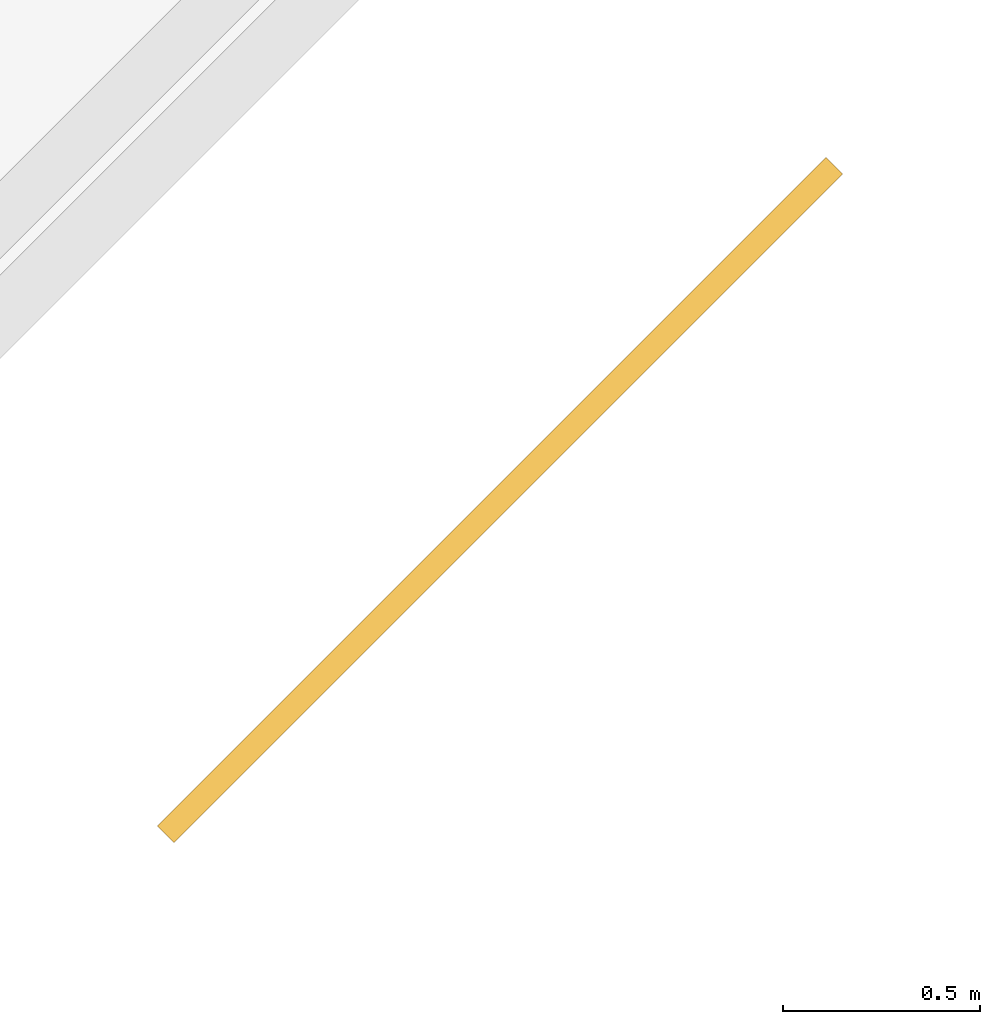
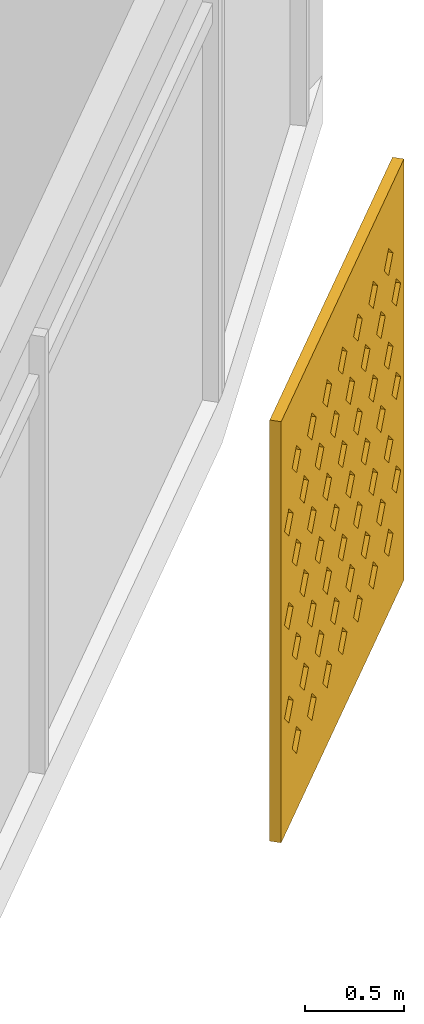
# One storey, part 28 of 28: 1 shading device.
"""IFC4 building model written with IfcOpenShell, lengths in metres."""

from ifc_helpers import new_model, si_unit, direction, frame, origin, place, context, subcontext, project, spatial, polyline, outline, extrude, material, material_profile, profile_set, type_object, element, save


model = new_model("IFC4")

# Units and contexts
model_context = context("Model", 3, precision=1e-05, world=origin(), true_north=direction((0.0, 1.0)))
body_context = subcontext(model_context, "Body", "Model", "MODEL_VIEW")
ifc_project = project(units=[si_unit("LENGTHUNIT", "METRE"), si_unit("AREAUNIT", "SQUARE_METRE"), si_unit("VOLUMEUNIT", "CUBIC_METRE"), si_unit("PLANEANGLEUNIT", "RADIAN"), si_unit("MASSUNIT", "GRAM", prefix="KILO")], contexts=[model_context])

# Site, building, storey
site_placement = place(None, origin())
site = spatial("IfcSite", under=ifc_project, at=site_placement, CompositionType="ELEMENT")
building_placement = place(site_placement, origin())
building = spatial("IfcBuilding", under=site, at=building_placement, Name="Qamariyya Broadcast Tower", CompositionType="ELEMENT")
storey_placement = place(building_placement, frame((0.0, 0.0, 230.300048828125)))
storey = spatial("IfcBuildingStorey", under=building, at=storey_placement, Name="L55", CompositionType="ELEMENT", Elevation=230.300048828125)

# Shading device
ifc_material = material(Name="Perforated glazed terracotta", Category="masonry")
ifc_material_profile = material_profile(ifc_material, outline(polyline([(-1.199951171875, -1.300048828125), (1.199951171875, -1.300048828125), (1.199951171875, 1.300048828125), (-1.199951171875, 1.300048828125), (-1.199951171875, -1.300048828125)]), holes=[polyline([(-0.81494140625, -0.86669921875), (-0.89990234375, -0.78173828125), (-0.985107421875, -0.86669921875), (-0.89990234375, -0.95166015625), (-0.81494140625, -0.86669921875)]), polyline([(-0.514892578125, -0.86669921875), (-0.60009765625, -0.78173828125), (-0.68505859375, -0.86669921875), (-0.60009765625, -0.95166015625), (-0.514892578125, -0.86669921875)]), polyline([(-0.215087890625, -0.86669921875), (-0.300048828125, -0.78173828125), (-0.385009765625, -0.86669921875), (-0.300048828125, -0.95166015625), (-0.215087890625, -0.86669921875)]), polyline([(0.0849609375, -0.86669921875), (0.0, -0.78173828125), (-0.0849609375, -0.86669921875), (0.0, -0.95166015625), (0.0849609375, -0.86669921875)]), polyline([(0.385009765625, -0.86669921875), (0.300048828125, -0.78173828125), (0.215087890625, -0.86669921875), (0.300048828125, -0.95166015625), (0.385009765625, -0.86669921875)]), polyline([(0.68505859375, -0.86669921875), (0.60009765625, -0.78173828125), (0.514892578125, -0.86669921875), (0.60009765625, -0.95166015625), (0.68505859375, -0.86669921875)]), polyline([(0.985107421875, -0.86669921875), (0.89990234375, -0.78173828125), (0.81494140625, -0.86669921875), (0.89990234375, -0.95166015625), (0.985107421875, -0.86669921875)]), polyline([(-0.965087890625, -0.577880859375), (-1.050048828125, -0.49267578125), (-1.135009765625, -0.577880859375), (-1.050048828125, -0.662841796875), (-0.965087890625, -0.577880859375)]), polyline([(-0.6650390625, -0.577880859375), (-0.75, -0.49267578125), (-0.8349609375, -0.577880859375), (-0.75, -0.662841796875), (-0.6650390625, -0.577880859375)]), polyline([(-0.364990234375, -0.577880859375), (-0.449951171875, -0.49267578125), (-0.534912109375, -0.577880859375), (-0.449951171875, -0.662841796875), (-0.364990234375, -0.577880859375)]), polyline([(-0.06494140625, -0.577880859375), (-0.14990234375, -0.49267578125), (-0.235107421875, -0.577880859375), (-0.14990234375, -0.662841796875), (-0.06494140625, -0.577880859375)]), polyline([(0.235107421875, -0.577880859375), (0.14990234375, -0.49267578125), (0.06494140625, -0.577880859375), (0.14990234375, -0.662841796875), (0.235107421875, -0.577880859375)]), polyline([(0.534912109375, -0.577880859375), (0.449951171875, -0.49267578125), (0.364990234375, -0.577880859375), (0.449951171875, -0.662841796875), (0.534912109375, -0.577880859375)]), polyline([(0.8349609375, -0.577880859375), (0.75, -0.49267578125), (0.6650390625, -0.577880859375), (0.75, -0.662841796875), (0.8349609375, -0.577880859375)]), polyline([(1.135009765625, -0.577880859375), (1.050048828125, -0.49267578125), (0.965087890625, -0.577880859375), (1.050048828125, -0.662841796875), (1.135009765625, -0.577880859375)]), polyline([(-0.81494140625, -0.288818359375), (-0.89990234375, -0.203857421875), (-0.985107421875, -0.288818359375), (-0.89990234375, -0.373779296875), (-0.81494140625, -0.288818359375)]), polyline([(-0.514892578125, -0.288818359375), (-0.60009765625, -0.203857421875), (-0.68505859375, -0.288818359375), (-0.60009765625, -0.373779296875), (-0.514892578125, -0.288818359375)]), polyline([(-0.215087890625, -0.288818359375), (-0.300048828125, -0.203857421875), (-0.385009765625, -0.288818359375), (-0.300048828125, -0.373779296875), (-0.215087890625, -0.288818359375)]), polyline([(0.0849609375, -0.288818359375), (0.0, -0.203857421875), (-0.0849609375, -0.288818359375), (0.0, -0.373779296875), (0.0849609375, -0.288818359375)]), polyline([(0.385009765625, -0.288818359375), (0.300048828125, -0.203857421875), (0.215087890625, -0.288818359375), (0.300048828125, -0.373779296875), (0.385009765625, -0.288818359375)]), polyline([(0.68505859375, -0.288818359375), (0.60009765625, -0.203857421875), (0.514892578125, -0.288818359375), (0.60009765625, -0.373779296875), (0.68505859375, -0.288818359375)]), polyline([(0.985107421875, -0.288818359375), (0.89990234375, -0.203857421875), (0.81494140625, -0.288818359375), (0.89990234375, -0.373779296875), (0.985107421875, -0.288818359375)]), polyline([(-0.965087890625, 0.0), (-1.050048828125, 0.0849609375), (-1.135009765625, 0.0), (-1.050048828125, -0.0849609375), (-0.965087890625, 0.0)]), polyline([(-0.6650390625, 0.0), (-0.75, 0.0849609375), (-0.8349609375, 0.0), (-0.75, -0.0849609375), (-0.6650390625, 0.0)]), polyline([(-0.364990234375, 0.0), (-0.449951171875, 0.0849609375), (-0.534912109375, 0.0), (-0.449951171875, -0.0849609375), (-0.364990234375, 0.0)]), polyline([(-0.06494140625, 0.0), (-0.14990234375, 0.0849609375), (-0.235107421875, 0.0), (-0.14990234375, -0.0849609375), (-0.06494140625, 0.0)]), polyline([(0.235107421875, 0.0), (0.14990234375, 0.0849609375), (0.06494140625, 0.0), (0.14990234375, -0.0849609375), (0.235107421875, 0.0)]), polyline([(0.534912109375, 0.0), (0.449951171875, 0.0849609375), (0.364990234375, 0.0), (0.449951171875, -0.0849609375), (0.534912109375, 0.0)]), polyline([(0.8349609375, 0.0), (0.75, 0.0849609375), (0.6650390625, 0.0), (0.75, -0.0849609375), (0.8349609375, 0.0)]), polyline([(1.135009765625, 0.0), (1.050048828125, 0.0849609375), (0.965087890625, 0.0), (1.050048828125, -0.0849609375), (1.135009765625, 0.0)]), polyline([(-0.81494140625, 0.288818359375), (-0.89990234375, 0.373779296875), (-0.985107421875, 0.288818359375), (-0.89990234375, 0.203857421875), (-0.81494140625, 0.288818359375)]), polyline([(-0.514892578125, 0.288818359375), (-0.60009765625, 0.373779296875), (-0.68505859375, 0.288818359375), (-0.60009765625, 0.203857421875), (-0.514892578125, 0.288818359375)]), polyline([(-0.215087890625, 0.288818359375), (-0.300048828125, 0.373779296875), (-0.385009765625, 0.288818359375), (-0.300048828125, 0.203857421875), (-0.215087890625, 0.288818359375)]), polyline([(0.0849609375, 0.288818359375), (0.0, 0.373779296875), (-0.0849609375, 0.288818359375), (0.0, 0.203857421875), (0.0849609375, 0.288818359375)]), polyline([(0.385009765625, 0.288818359375), (0.300048828125, 0.373779296875), (0.215087890625, 0.288818359375), (0.300048828125, 0.203857421875), (0.385009765625, 0.288818359375)]), polyline([(0.68505859375, 0.288818359375), (0.60009765625, 0.373779296875), (0.514892578125, 0.288818359375), (0.60009765625, 0.203857421875), (0.68505859375, 0.288818359375)]), polyline([(0.985107421875, 0.288818359375), (0.89990234375, 0.373779296875), (0.81494140625, 0.288818359375), (0.89990234375, 0.203857421875), (0.985107421875, 0.288818359375)]), polyline([(-0.965087890625, 0.577880859375), (-1.050048828125, 0.662841796875), (-1.135009765625, 0.577880859375), (-1.050048828125, 0.49267578125), (-0.965087890625, 0.577880859375)]), polyline([(-0.6650390625, 0.577880859375), (-0.75, 0.662841796875), (-0.8349609375, 0.577880859375), (-0.75, 0.49267578125), (-0.6650390625, 0.577880859375)]), polyline([(-0.364990234375, 0.577880859375), (-0.449951171875, 0.662841796875), (-0.534912109375, 0.577880859375), (-0.449951171875, 0.49267578125), (-0.364990234375, 0.577880859375)]), polyline([(-0.06494140625, 0.577880859375), (-0.14990234375, 0.662841796875), (-0.235107421875, 0.577880859375), (-0.14990234375, 0.49267578125), (-0.06494140625, 0.577880859375)]), polyline([(0.235107421875, 0.577880859375), (0.14990234375, 0.662841796875), (0.06494140625, 0.577880859375), (0.14990234375, 0.49267578125), (0.235107421875, 0.577880859375)]), polyline([(0.534912109375, 0.577880859375), (0.449951171875, 0.662841796875), (0.364990234375, 0.577880859375), (0.449951171875, 0.49267578125), (0.534912109375, 0.577880859375)]), polyline([(0.8349609375, 0.577880859375), (0.75, 0.662841796875), (0.6650390625, 0.577880859375), (0.75, 0.49267578125), (0.8349609375, 0.577880859375)]), polyline([(1.135009765625, 0.577880859375), (1.050048828125, 0.662841796875), (0.965087890625, 0.577880859375), (1.050048828125, 0.49267578125), (1.135009765625, 0.577880859375)]), polyline([(-0.81494140625, 0.86669921875), (-0.89990234375, 0.95166015625), (-0.985107421875, 0.86669921875), (-0.89990234375, 0.78173828125), (-0.81494140625, 0.86669921875)]), polyline([(-0.514892578125, 0.86669921875), (-0.60009765625, 0.95166015625), (-0.68505859375, 0.86669921875), (-0.60009765625, 0.78173828125), (-0.514892578125, 0.86669921875)]), polyline([(-0.215087890625, 0.86669921875), (-0.300048828125, 0.95166015625), (-0.385009765625, 0.86669921875), (-0.300048828125, 0.78173828125), (-0.215087890625, 0.86669921875)]), polyline([(0.0849609375, 0.86669921875), (0.0, 0.95166015625), (-0.0849609375, 0.86669921875), (0.0, 0.78173828125), (0.0849609375, 0.86669921875)]), polyline([(0.385009765625, 0.86669921875), (0.300048828125, 0.95166015625), (0.215087890625, 0.86669921875), (0.300048828125, 0.78173828125), (0.385009765625, 0.86669921875)]), polyline([(0.68505859375, 0.86669921875), (0.60009765625, 0.95166015625), (0.514892578125, 0.86669921875), (0.60009765625, 0.78173828125), (0.68505859375, 0.86669921875)]), polyline([(0.985107421875, 0.86669921875), (0.89990234375, 0.95166015625), (0.81494140625, 0.86669921875), (0.89990234375, 0.78173828125), (0.985107421875, 0.86669921875)])]))
ifc_profile_set = profile_set([ifc_material_profile], Name="Perforated glazed terracotta")
shading_device_type = type_object("IfcShadingDeviceType", Name="Perforated terracotta screen 2400 x 2600", PredefinedType="USERDEFINED", material=ifc_profile_set)
shading_device_placement = place(storey_placement, frame((58.18603515625, -54.599609375, 1.349853515625), z_axis=(0.707106781187, -0.707106781187, 0.0), x_axis=(0.707106781187, 0.707106781187, 0.0)))
element("IfcShadingDevice", 1, at=shading_device_placement, inside=storey, type_object=shading_device_type, Name="e-scr-L55-14-2", ObjectType="SCREEN", PredefinedType="USERDEFINED", context=body_context, shape_type="SweptSolid", body=[
    extrude(outline(polyline([(-1.199951171875, -1.300048828125), (1.199951171875, -1.300048828125), (1.199951171875, 1.300048828125), (-1.199951171875, 1.300048828125), (-1.199951171875, -1.300048828125)]), holes=[polyline([(-0.81494140625, -0.86669921875), (-0.89990234375, -0.78173828125), (-0.985107421875, -0.86669921875), (-0.89990234375, -0.95166015625), (-0.81494140625, -0.86669921875)]), polyline([(-0.514892578125, -0.86669921875), (-0.60009765625, -0.78173828125), (-0.68505859375, -0.86669921875), (-0.60009765625, -0.95166015625), (-0.514892578125, -0.86669921875)]), polyline([(-0.215087890625, -0.86669921875), (-0.300048828125, -0.78173828125), (-0.385009765625, -0.86669921875), (-0.300048828125, -0.95166015625), (-0.215087890625, -0.86669921875)]), polyline([(0.0849609375, -0.86669921875), (0.0, -0.78173828125), (-0.0849609375, -0.86669921875), (0.0, -0.95166015625), (0.0849609375, -0.86669921875)]), polyline([(0.385009765625, -0.86669921875), (0.300048828125, -0.78173828125), (0.215087890625, -0.86669921875), (0.300048828125, -0.95166015625), (0.385009765625, -0.86669921875)]), polyline([(0.68505859375, -0.86669921875), (0.60009765625, -0.78173828125), (0.514892578125, -0.86669921875), (0.60009765625, -0.95166015625), (0.68505859375, -0.86669921875)]), polyline([(0.985107421875, -0.86669921875), (0.89990234375, -0.78173828125), (0.81494140625, -0.86669921875), (0.89990234375, -0.95166015625), (0.985107421875, -0.86669921875)]), polyline([(-0.965087890625, -0.577880859375), (-1.050048828125, -0.49267578125), (-1.135009765625, -0.577880859375), (-1.050048828125, -0.662841796875), (-0.965087890625, -0.577880859375)]), polyline([(-0.6650390625, -0.577880859375), (-0.75, -0.49267578125), (-0.8349609375, -0.577880859375), (-0.75, -0.662841796875), (-0.6650390625, -0.577880859375)]), polyline([(-0.364990234375, -0.577880859375), (-0.449951171875, -0.49267578125), (-0.534912109375, -0.577880859375), (-0.449951171875, -0.662841796875), (-0.364990234375, -0.577880859375)]), polyline([(-0.06494140625, -0.577880859375), (-0.14990234375, -0.49267578125), (-0.235107421875, -0.577880859375), (-0.14990234375, -0.662841796875), (-0.06494140625, -0.577880859375)]), polyline([(0.235107421875, -0.577880859375), (0.14990234375, -0.49267578125), (0.06494140625, -0.577880859375), (0.14990234375, -0.662841796875), (0.235107421875, -0.577880859375)]), polyline([(0.534912109375, -0.577880859375), (0.449951171875, -0.49267578125), (0.364990234375, -0.577880859375), (0.449951171875, -0.662841796875), (0.534912109375, -0.577880859375)]), polyline([(0.8349609375, -0.577880859375), (0.75, -0.49267578125), (0.6650390625, -0.577880859375), (0.75, -0.662841796875), (0.8349609375, -0.577880859375)]), polyline([(1.135009765625, -0.577880859375), (1.050048828125, -0.49267578125), (0.965087890625, -0.577880859375), (1.050048828125, -0.662841796875), (1.135009765625, -0.577880859375)]), polyline([(-0.81494140625, -0.288818359375), (-0.89990234375, -0.203857421875), (-0.985107421875, -0.288818359375), (-0.89990234375, -0.373779296875), (-0.81494140625, -0.288818359375)]), polyline([(-0.514892578125, -0.288818359375), (-0.60009765625, -0.203857421875), (-0.68505859375, -0.288818359375), (-0.60009765625, -0.373779296875), (-0.514892578125, -0.288818359375)]), polyline([(-0.215087890625, -0.288818359375), (-0.300048828125, -0.203857421875), (-0.385009765625, -0.288818359375), (-0.300048828125, -0.373779296875), (-0.215087890625, -0.288818359375)]), polyline([(0.0849609375, -0.288818359375), (0.0, -0.203857421875), (-0.0849609375, -0.288818359375), (0.0, -0.373779296875), (0.0849609375, -0.288818359375)]), polyline([(0.385009765625, -0.288818359375), (0.300048828125, -0.203857421875), (0.215087890625, -0.288818359375), (0.300048828125, -0.373779296875), (0.385009765625, -0.288818359375)]), polyline([(0.68505859375, -0.288818359375), (0.60009765625, -0.203857421875), (0.514892578125, -0.288818359375), (0.60009765625, -0.373779296875), (0.68505859375, -0.288818359375)]), polyline([(0.985107421875, -0.288818359375), (0.89990234375, -0.203857421875), (0.81494140625, -0.288818359375), (0.89990234375, -0.373779296875), (0.985107421875, -0.288818359375)]), polyline([(-0.965087890625, 0.0), (-1.050048828125, 0.0849609375), (-1.135009765625, 0.0), (-1.050048828125, -0.0849609375), (-0.965087890625, 0.0)]), polyline([(-0.6650390625, 0.0), (-0.75, 0.0849609375), (-0.8349609375, 0.0), (-0.75, -0.0849609375), (-0.6650390625, 0.0)]), polyline([(-0.364990234375, 0.0), (-0.449951171875, 0.0849609375), (-0.534912109375, 0.0), (-0.449951171875, -0.0849609375), (-0.364990234375, 0.0)]), polyline([(-0.06494140625, 0.0), (-0.14990234375, 0.0849609375), (-0.235107421875, 0.0), (-0.14990234375, -0.0849609375), (-0.06494140625, 0.0)]), polyline([(0.235107421875, 0.0), (0.14990234375, 0.0849609375), (0.06494140625, 0.0), (0.14990234375, -0.0849609375), (0.235107421875, 0.0)]), polyline([(0.534912109375, 0.0), (0.449951171875, 0.0849609375), (0.364990234375, 0.0), (0.449951171875, -0.0849609375), (0.534912109375, 0.0)]), polyline([(0.8349609375, 0.0), (0.75, 0.0849609375), (0.6650390625, 0.0), (0.75, -0.0849609375), (0.8349609375, 0.0)]), polyline([(1.135009765625, 0.0), (1.050048828125, 0.0849609375), (0.965087890625, 0.0), (1.050048828125, -0.0849609375), (1.135009765625, 0.0)]), polyline([(-0.81494140625, 0.288818359375), (-0.89990234375, 0.373779296875), (-0.985107421875, 0.288818359375), (-0.89990234375, 0.203857421875), (-0.81494140625, 0.288818359375)]), polyline([(-0.514892578125, 0.288818359375), (-0.60009765625, 0.373779296875), (-0.68505859375, 0.288818359375), (-0.60009765625, 0.203857421875), (-0.514892578125, 0.288818359375)]), polyline([(-0.215087890625, 0.288818359375), (-0.300048828125, 0.373779296875), (-0.385009765625, 0.288818359375), (-0.300048828125, 0.203857421875), (-0.215087890625, 0.288818359375)]), polyline([(0.0849609375, 0.288818359375), (0.0, 0.373779296875), (-0.0849609375, 0.288818359375), (0.0, 0.203857421875), (0.0849609375, 0.288818359375)]), polyline([(0.385009765625, 0.288818359375), (0.300048828125, 0.373779296875), (0.215087890625, 0.288818359375), (0.300048828125, 0.203857421875), (0.385009765625, 0.288818359375)]), polyline([(0.68505859375, 0.288818359375), (0.60009765625, 0.373779296875), (0.514892578125, 0.288818359375), (0.60009765625, 0.203857421875), (0.68505859375, 0.288818359375)]), polyline([(0.985107421875, 0.288818359375), (0.89990234375, 0.373779296875), (0.81494140625, 0.288818359375), (0.89990234375, 0.203857421875), (0.985107421875, 0.288818359375)]), polyline([(-0.965087890625, 0.577880859375), (-1.050048828125, 0.662841796875), (-1.135009765625, 0.577880859375), (-1.050048828125, 0.49267578125), (-0.965087890625, 0.577880859375)]), polyline([(-0.6650390625, 0.577880859375), (-0.75, 0.662841796875), (-0.8349609375, 0.577880859375), (-0.75, 0.49267578125), (-0.6650390625, 0.577880859375)]), polyline([(-0.364990234375, 0.577880859375), (-0.449951171875, 0.662841796875), (-0.534912109375, 0.577880859375), (-0.449951171875, 0.49267578125), (-0.364990234375, 0.577880859375)]), polyline([(-0.06494140625, 0.577880859375), (-0.14990234375, 0.662841796875), (-0.235107421875, 0.577880859375), (-0.14990234375, 0.49267578125), (-0.06494140625, 0.577880859375)]), polyline([(0.235107421875, 0.577880859375), (0.14990234375, 0.662841796875), (0.06494140625, 0.577880859375), (0.14990234375, 0.49267578125), (0.235107421875, 0.577880859375)]), polyline([(0.534912109375, 0.577880859375), (0.449951171875, 0.662841796875), (0.364990234375, 0.577880859375), (0.449951171875, 0.49267578125), (0.534912109375, 0.577880859375)]), polyline([(0.8349609375, 0.577880859375), (0.75, 0.662841796875), (0.6650390625, 0.577880859375), (0.75, 0.49267578125), (0.8349609375, 0.577880859375)]), polyline([(1.135009765625, 0.577880859375), (1.050048828125, 0.662841796875), (0.965087890625, 0.577880859375), (1.050048828125, 0.49267578125), (1.135009765625, 0.577880859375)]), polyline([(-0.81494140625, 0.86669921875), (-0.89990234375, 0.95166015625), (-0.985107421875, 0.86669921875), (-0.89990234375, 0.78173828125), (-0.81494140625, 0.86669921875)]), polyline([(-0.514892578125, 0.86669921875), (-0.60009765625, 0.95166015625), (-0.68505859375, 0.86669921875), (-0.60009765625, 0.78173828125), (-0.514892578125, 0.86669921875)]), polyline([(-0.215087890625, 0.86669921875), (-0.300048828125, 0.95166015625), (-0.385009765625, 0.86669921875), (-0.300048828125, 0.78173828125), (-0.215087890625, 0.86669921875)]), polyline([(0.0849609375, 0.86669921875), (0.0, 0.95166015625), (-0.0849609375, 0.86669921875), (0.0, 0.78173828125), (0.0849609375, 0.86669921875)]), polyline([(0.385009765625, 0.86669921875), (0.300048828125, 0.95166015625), (0.215087890625, 0.86669921875), (0.300048828125, 0.78173828125), (0.385009765625, 0.86669921875)]), polyline([(0.68505859375, 0.86669921875), (0.60009765625, 0.95166015625), (0.514892578125, 0.86669921875), (0.60009765625, 0.78173828125), (0.68505859375, 0.86669921875)]), polyline([(0.985107421875, 0.86669921875), (0.89990234375, 0.95166015625), (0.81494140625, 0.86669921875), (0.89990234375, 0.78173828125), (0.985107421875, 0.86669921875)])]), origin(), (0.0, 0.0, 1.0), 0.06005859375),
])

save(model, "model.ifc")
